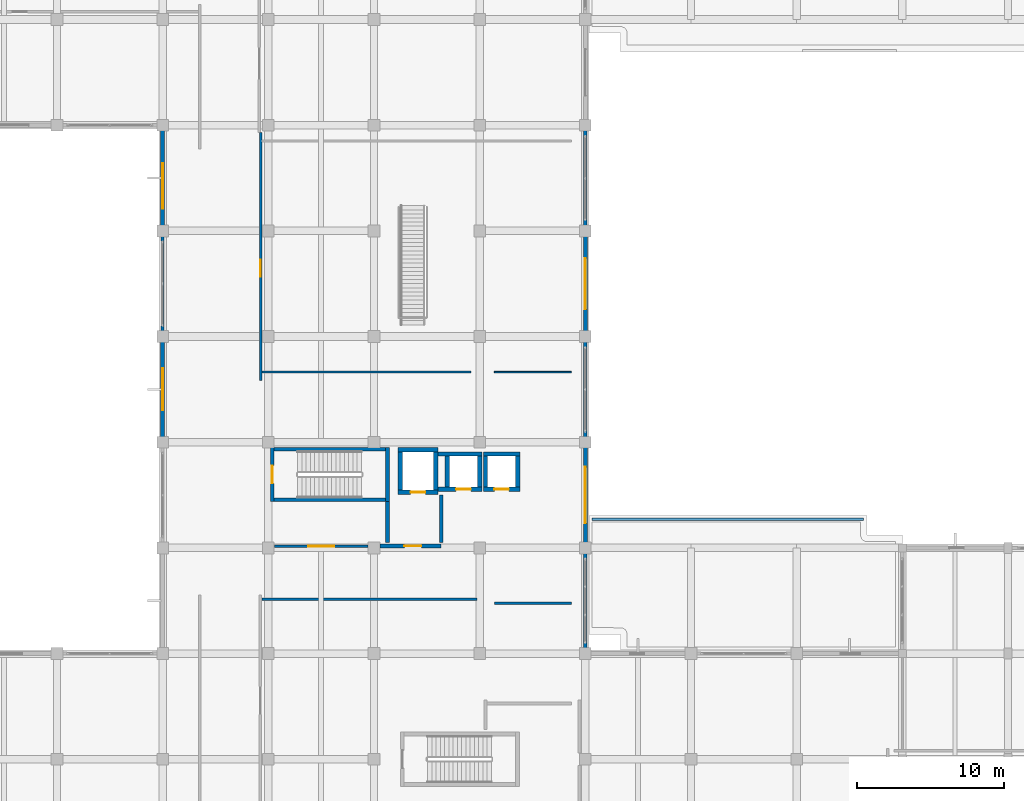
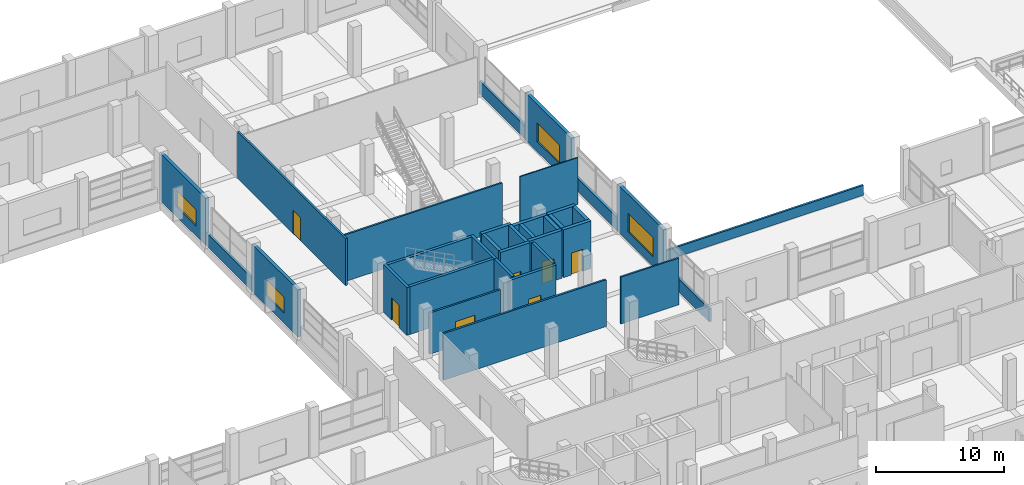
# One storey, part 124 of 140: 34 walls, 7 doors, 4 windows, 11 openings.
"""IFC4 building model written with IfcOpenShell, lengths in metres."""

from ifc_helpers import new_model, si_unit, direction, frame, frame_2d, origin, place, context, subcontext, project, spatial, rectangle, extrude, material, layer, layer_set, type_object, element, fill, save


model = new_model("IFC4")

# Units and contexts
model_context = context("Model", 3, precision=1e-05, world=origin(), true_north=direction((0.0, 1.0)))
body_context = subcontext(model_context, "Body", "Model", "MODEL_VIEW")
ifc_project = project(units=[si_unit("LENGTHUNIT", "METRE"), si_unit("AREAUNIT", "SQUARE_METRE"), si_unit("VOLUMEUNIT", "CUBIC_METRE"), si_unit("PLANEANGLEUNIT", "RADIAN"), si_unit("MASSUNIT", "GRAM", prefix="KILO")], contexts=[model_context])

# Site, building, storey
site_placement = place(None, origin())
site = spatial("IfcSite", under=ifc_project, at=site_placement, CompositionType="ELEMENT")
building_placement = place(site_placement, origin())
building = spatial("IfcBuilding", under=site, at=building_placement, Name="Seraya Terrace Polytechnic", CompositionType="ELEMENT")
storey_placement = place(building_placement, frame((0.0, 0.0, 9.60009765625)))
storey = spatial("IfcBuildingStorey", under=building, at=storey_placement, Name="L02", CompositionType="ELEMENT", Elevation=9.60009765625)

# Wall, opening, window
ifc_material_1 = material(Name="Precast concrete C40/50", Category="concrete")
ifc_layer_1 = layer(ifc_material_1, 0.280029296875, Name="EW-02")
ifc_layer_set_1 = layer_set([ifc_layer_1], Name="Precast concrete C40/50")
wall_type_1 = type_object("IfcWallType", Name="EW-02", PredefinedType="SOLIDWALL", material=ifc_layer_set_1)
wall_1_placement = place(storey_placement, frame((108.0, 57.60009765625, 0.0), z_axis=(0.0, 0.0, 1.0), x_axis=(0.0, -1.0, 0.0)))
wall_1 = element("IfcWall", 1, at=wall_1_placement, inside=storey, type_object=wall_type_1, Name="Exterior structural wall EW-02 L02", PredefinedType="SOLIDWALL", context=body_context, shape_type="SweptSolid", body=[
    extrude(rectangle(XDim=7.2001953125, YDim=0.280029296875, at=frame_2d((3.60009765625, 0.0))), origin(), (0.0, 0.0, 1.0), 4.52001953125),
])
opening_1_placement = place(wall_1_placement, frame((1.85009765625, 0.0, 0.949951171875)))
opening_1 = element("IfcOpeningElement", 2, at=opening_1_placement, cuts=wall_1, Name="Opening WN-35", PredefinedType="OPENING", context=body_context, shape_type="SweptSolid", body=[
    extrude(rectangle(XDim=3.5, YDim=1.800048828125, at=frame_2d((1.75, 0.89990234375))), frame((0.0, 0.15185546875, 0.0), z_axis=(0.0, -1.0, 0.0), x_axis=(1.0, 0.0, 0.0)), (0.0, 0.0, 1.0), 0.303955078125),
])
ifc_material_2 = material(Name="Laminated solar-control Low-E double glazing", Category="glass")
window_type_1 = type_object("IfcWindowType", Name="WN-35", PartitioningType="SINGLE_PANEL", PredefinedType="WINDOW", material=ifc_material_2)
window_1_placement = place(opening_1_placement, origin())
window_1 = element("IfcWindow", 3, at=window_1_placement, inside=storey, type_object=window_type_1, Name="Exterior window WN-35 L02", OverallHeight=1.800048828125, OverallWidth=3.5, PartitioningType="SINGLE_PANEL", PredefinedType="WINDOW", context=body_context, shape_type="SweptSolid", body=[
    extrude(rectangle(XDim=3.5, YDim=1.800048828125, at=frame_2d((1.75, 0.89990234375))), frame((0.0, 0.030029296875, 0.0), z_axis=(0.0, -1.0, 0.0), x_axis=(1.0, 0.0, 0.0)), (0.0, 0.0, 1.0), 0.06005859375),
])
fill(opening_1, window_1)

wall_2_placement = place(storey_placement, frame((108.0, 43.199951171875, 0.0), z_axis=(0.0, 0.0, 1.0), x_axis=(0.0, -1.0, 0.0)))
wall_2 = element("IfcWall", 4, at=wall_2_placement, inside=storey, type_object=wall_type_1, Name="Exterior structural wall EW-02 L02", PredefinedType="SOLIDWALL", context=body_context, shape_type="SweptSolid", body=[
    extrude(rectangle(XDim=7.199951171875, YDim=0.280029296875, at=frame_2d((3.60009765625, 0.0))), origin(), (0.0, 0.0, 1.0), 4.52001953125),
])
opening_2_placement = place(wall_2_placement, frame((1.675048828125, 0.0, 0.949951171875)))
opening_2 = element("IfcOpeningElement", 5, at=opening_2_placement, cuts=wall_2, Name="Opening WN-36", PredefinedType="OPENING", context=body_context, shape_type="SweptSolid", body=[
    extrude(rectangle(XDim=3.85009765625, YDim=1.800048828125, at=frame_2d((1.925048828125, 0.89990234375))), frame((0.0, 0.15185546875, 0.0), z_axis=(0.0, -1.0, 0.0), x_axis=(1.0, 0.0, 0.0)), (0.0, 0.0, 1.0), 0.303955078125),
])
window_type_2 = type_object("IfcWindowType", Name="WN-36", PartitioningType="SINGLE_PANEL", PredefinedType="WINDOW", material=ifc_material_2)
window_2_placement = place(opening_2_placement, origin())
window_2 = element("IfcWindow", 6, at=window_2_placement, inside=storey, type_object=window_type_2, Name="Exterior window WN-36 L02", OverallHeight=1.800048828125, OverallWidth=3.85009765625, PartitioningType="SINGLE_PANEL", PredefinedType="WINDOW", context=body_context, shape_type="SweptSolid", body=[
    extrude(rectangle(XDim=3.85009765625, YDim=1.800048828125, at=frame_2d((1.925048828125, 0.89990234375))), frame((0.0, 0.030029296875, 0.0), z_axis=(0.0, -1.0, 0.0), x_axis=(1.0, 0.0, 0.0)), (0.0, 0.0, 1.0), 0.06005859375),
])
fill(opening_2, window_2)

wall_3_placement = place(storey_placement, frame((79.199951171875, 43.199951171875, 0.0), z_axis=(0.0, 0.0, 1.0), x_axis=(0.0, 1.0, 0.0)))
wall_3 = element("IfcWall", 7, at=wall_3_placement, inside=storey, type_object=wall_type_1, Name="Exterior structural wall EW-02 L02", PredefinedType="SOLIDWALL", context=body_context, shape_type="SweptSolid", body=[
    extrude(rectangle(XDim=7.199951171875, YDim=0.280029296875, at=frame_2d((3.60009765625, 0.0))), origin(), (0.0, 0.0, 1.0), 4.52001953125),
])
opening_3_placement = place(wall_3_placement, frame((2.175048828125, 0.0, 0.949951171875)))
opening_3 = element("IfcOpeningElement", 8, at=opening_3_placement, cuts=wall_3, Name="Opening WN-23", PredefinedType="OPENING", context=body_context, shape_type="SweptSolid", body=[
    extrude(rectangle(XDim=2.85009765625, YDim=1.550048828125, at=frame_2d((1.425048828125, 0.77490234375))), frame((0.0, 0.15185546875, 0.0), z_axis=(0.0, -1.0, 0.0), x_axis=(1.0, 0.0, 0.0)), (0.0, 0.0, 1.0), 0.303955078125),
])
window_type_3 = type_object("IfcWindowType", Name="WN-23", PartitioningType="SINGLE_PANEL", PredefinedType="WINDOW", material=ifc_material_2)
window_3_placement = place(opening_3_placement, origin())
window_3 = element("IfcWindow", 9, at=window_3_placement, inside=storey, type_object=window_type_3, Name="Exterior window WN-23 L02", OverallHeight=1.550048828125, OverallWidth=2.85009765625, PartitioningType="SINGLE_PANEL", PredefinedType="WINDOW", context=body_context, shape_type="SweptSolid", body=[
    extrude(rectangle(XDim=2.85009765625, YDim=1.550048828125, at=frame_2d((1.425048828125, 0.77490234375))), frame((0.0, 0.030029296875, 0.0), z_axis=(0.0, -1.0, 0.0), x_axis=(1.0, 0.0, 0.0)), (0.0, 0.0, 1.0), 0.06005859375),
])
fill(opening_3, window_3)

wall_4_placement = place(storey_placement, frame((79.199951171875, 57.60009765625, 0.0), z_axis=(0.0, 0.0, 1.0), x_axis=(0.0, 1.0, 0.0)))
wall_4 = element("IfcWall", 10, at=wall_4_placement, inside=storey, type_object=wall_type_1, Name="Exterior structural wall EW-02 L02", PredefinedType="SOLIDWALL", context=body_context, shape_type="SweptSolid", body=[
    extrude(rectangle(XDim=7.0478515625, YDim=0.280029296875, at=frame_2d((3.52392578125, 0.0))), origin(), (0.0, 0.0, 1.0), 4.52001953125),
])
opening_4_placement = place(wall_4_placement, frame((1.52392578125, 0.0, 0.949951171875)))
opening_4 = element("IfcOpeningElement", 11, at=opening_4_placement, cuts=wall_4, Name="Opening WN-24", PredefinedType="OPENING", context=body_context, shape_type="SweptSolid", body=[
    extrude(rectangle(XDim=3.10009765625, YDim=1.550048828125, at=frame_2d((1.550048828125, 0.77490234375))), frame((0.0, 0.15185546875, 0.0), z_axis=(0.0, -1.0, 0.0), x_axis=(1.0, 0.0, 0.0)), (0.0, 0.0, 1.0), 0.303955078125),
])
window_type_4 = type_object("IfcWindowType", Name="WN-24", PartitioningType="SINGLE_PANEL", PredefinedType="WINDOW", material=ifc_material_2)
window_4_placement = place(opening_4_placement, origin())
window_4 = element("IfcWindow", 12, at=window_4_placement, inside=storey, type_object=window_type_4, Name="Exterior window WN-24 L02", OverallHeight=1.550048828125, OverallWidth=3.10009765625, PartitioningType="SINGLE_PANEL", PredefinedType="WINDOW", context=body_context, shape_type="SweptSolid", body=[
    extrude(rectangle(XDim=3.10009765625, YDim=1.550048828125, at=frame_2d((1.550048828125, 0.77490234375))), frame((0.0, 0.030029296875, 0.0), z_axis=(0.0, -1.0, 0.0), x_axis=(1.0, 0.0, 0.0)), (0.0, 0.0, 1.0), 0.06005859375),
])
fill(opening_4, window_4)

# Walls
ifc_layer_2 = layer(ifc_material_1, 0.219970703125, Name="EW-05")
ifc_layer_set_2 = layer_set([ifc_layer_2], Name="Precast concrete C40/50")
wall_type_2 = type_object("IfcWallType", Name="EW-05", PredefinedType="SOLIDWALL", material=ifc_layer_set_2)
for number, where, z_axis, x_axis, name in (
    (13, (108.0, 64.800048828125, 0.0), (0.0, 0.0, 1.0), (0.0, -1.0, 0.0), "Precast spandrel wall L02"),
    (14, (108.0, 50.39990234375, 0.0), (0.0, 0.0, 1.0), (0.0, -1.0, 0.0), "Precast spandrel wall L02"),
):
    element("IfcWall", number, at=place(storey_placement, frame(where, z_axis=z_axis, x_axis=x_axis)), inside=storey, type_object=wall_type_2, Name=name, PredefinedType="SOLIDWALL", context=body_context, shape_type="SweptSolid", body=[
        extrude(rectangle(XDim=7.199951171875, YDim=0.219970703125, at=frame_2d((3.60009765625, 0.0))), origin(), (0.0, 0.0, 1.0), 1.239990234375),
    ])
wall_5_placement = place(storey_placement, frame((108.0, 36.0, 0.0), z_axis=(0.0, 0.0, 1.0), x_axis=(0.0, -1.0, 0.0)))
element("IfcWall", 15, at=wall_5_placement, inside=storey, type_object=wall_type_2, Name="Precast spandrel wall L02", PredefinedType="SOLIDWALL", context=body_context, shape_type="SweptSolid", body=[
    extrude(rectangle(XDim=7.048095703125, YDim=0.219970703125, at=frame_2d((3.52392578125, 0.0))), origin(), (0.0, 0.0, 1.0), 1.239990234375),
])
wall_6_placement = place(storey_placement, frame((79.199951171875, 50.39990234375, 0.0), z_axis=(0.0, 0.0, 1.0), x_axis=(0.0, 1.0, 0.0)))
element("IfcWall", 16, at=wall_6_placement, inside=storey, type_object=wall_type_2, Name="Precast spandrel wall L02", PredefinedType="SOLIDWALL", context=body_context, shape_type="SweptSolid", body=[
    extrude(rectangle(XDim=7.2001953125, YDim=0.219970703125, at=frame_2d((3.60009765625, 0.0))), origin(), (0.0, 0.0, 1.0), 1.239990234375),
])

# Wall, opening, door
ifc_material_3 = material(Name="Autoclaved aerated concrete blockwork", Category="masonry")
ifc_layer_3 = layer(ifc_material_3, 0.169921875, Name="PT-02")
ifc_layer_set_3 = layer_set([ifc_layer_3], Name="Autoclaved aerated concrete blockwork")
wall_type_3 = type_object("IfcWallType", Name="PT-02", PredefinedType="PARTITIONING", material=ifc_layer_set_3)
wall_7_placement = place(storey_placement, frame((85.8701171875, 47.416015625, 0.0), z_axis=(0.0, 0.0, 1.0), x_axis=(0.0, 1.0, 0.0)))
wall_7 = element("IfcWall", 17, at=wall_7_placement, inside=storey, type_object=wall_type_3, Name="Internal partition PT-02 L02", PredefinedType="PARTITIONING", context=body_context, shape_type="SweptSolid", body=[
    extrude(rectangle(XDim=16.8720703125, YDim=0.169921875, at=frame_2d((8.43603515625, 0.0))), origin(), (0.0, 0.0, 1.0), 4.4599609375),
])
opening_5_placement = place(wall_7_placement, frame((7.06591796875, 0.0, 0.0)))
opening_5 = element("IfcOpeningElement", 18, at=opening_5_placement, cuts=wall_7, Name="Opening ID-06", PredefinedType="OPENING", context=body_context, shape_type="SweptSolid", body=[
    extrude(rectangle(XDim=1.139892578125, YDim=2.199951171875, at=frame_2d((0.56982421875, 1.10009765625))), frame((0.0, 0.096923828125, 0.0), z_axis=(0.0, -1.0, 0.0), x_axis=(1.0, 0.0, 0.0)), (0.0, 0.0, 1.0), 0.19384765625),
])
ifc_material_4 = material(Name="Malaysian dark red meranti hardwood timber D40", Category="wood")
door_type_1 = type_object("IfcDoorType", Name="ID-06", OperationType="NOTDEFINED", PredefinedType="DOOR", material=ifc_material_4)
door_1_placement = place(opening_5_placement, frame((1.139892578125, 0.0, 0.0), z_axis=(0.0, 0.0, 1.0), x_axis=(-1.0, 0.0, 0.0)))
door_1 = element("IfcDoor", 19, at=door_1_placement, inside=storey, type_object=door_type_1, Name="Door ID-06 DR-INT-L02-0163 in WL-INT-L02-0456", OperationType="SINGLE_SWING_RIGHT", OverallHeight=2.199951171875, OverallWidth=1.139892578125, PredefinedType="DOOR", context=body_context, shape_type="SweptSolid", body=[
    extrude(rectangle(XDim=1.139892578125, YDim=2.199951171875, at=frame_2d((0.56982421875, 1.10009765625))), frame((0.0, 0.02490234375, 0.0), z_axis=(0.0, -1.0, 0.0), x_axis=(1.0, 0.0, 0.0)), (0.0, 0.0, 1.0), 0.050048828125),
])
fill(opening_5, door_1)

# Wall
wall_8_placement = place(storey_placement, frame((85.963134765625, 32.511962890625, 0.0), z_axis=(0.0, 0.0, 1.0), x_axis=(1.0, 0.0, 0.0)))
element("IfcWall", 20, at=wall_8_placement, inside=storey, type_object=wall_type_3, Name="Internal partition PT-02 L02", PredefinedType="PARTITIONING", context=body_context, shape_type="SweptSolid", body=[
    extrude(rectangle(XDim=14.668212890625, YDim=0.169921875, at=frame_2d((7.333984375, 0.0))), origin(), (0.0, 0.0, 1.0), 4.4599609375),
])

# Wall, opening, door
wall_9_placement = place(storey_placement, frame((86.81005859375, 36.1201171875, 0.0), z_axis=(0.0, 0.0, 1.0), x_axis=(1.0, 0.0, 0.0)))
wall_9 = element("IfcWall", 21, at=wall_9_placement, inside=storey, type_object=wall_type_3, Name="Internal partition PT-02 L02", PredefinedType="PARTITIONING", context=body_context, shape_type="SweptSolid", body=[
    extrude(rectangle(XDim=6.3798828125, YDim=0.169921875, at=frame_2d((3.18994140625, 0.0))), origin(), (0.0, 0.0, 1.0), 3.929931640625),
])
opening_6_placement = place(wall_9_placement, frame((2.31005859375, 0.0, 0.0)))
opening_6 = element("IfcOpeningElement", 22, at=opening_6_placement, cuts=wall_9, Name="Opening ID-14", PredefinedType="OPENING", context=body_context, shape_type="SweptSolid", body=[
    extrude(rectangle(XDim=1.760009765625, YDim=2.300048828125, at=frame_2d((0.8798828125, 1.14990234375))), frame((0.0, 0.096923828125, 0.0), z_axis=(0.0, -1.0, 0.0), x_axis=(1.0, 0.0, 0.0)), (0.0, 0.0, 1.0), 0.19384765625),
])
door_type_2 = type_object("IfcDoorType", Name="ID-14", OperationType="DOUBLE_DOOR_SINGLE_SWING", PredefinedType="DOOR", material=ifc_material_4)
door_2_placement = place(opening_6_placement, frame((1.760009765625, 0.0, 0.0), z_axis=(0.0, 0.0, 1.0), x_axis=(-1.0, 0.0, 0.0)))
door_2 = element("IfcDoor", 23, at=door_2_placement, inside=storey, type_object=door_type_2, Name="Door ID-14 DR-INT-L02-0155 in WL-INT-L02-0460", OperationType="DOUBLE_DOOR_SINGLE_SWING", OverallHeight=2.300048828125, OverallWidth=1.760009765625, PredefinedType="DOOR", context=body_context, shape_type="SweptSolid", body=[
    extrude(rectangle(XDim=1.760009765625, YDim=2.300048828125, at=frame_2d((0.8798828125, 1.14990234375))), frame((0.0, 0.02490234375, 0.0), z_axis=(0.0, -1.0, 0.0), x_axis=(1.0, 0.0, 0.0)), (0.0, 0.0, 1.0), 0.050048828125),
])
fill(opening_6, door_2)

# Walls
ifc_layer_4 = layer(ifc_material_3, 0.14990234375, Name="PT-03")
ifc_layer_set_4 = layer_set([ifc_layer_4], Name="Autoclaved aerated concrete blockwork")
wall_type_4 = type_object("IfcWallType", Name="PT-03", PredefinedType="PARTITIONING", material=ifc_layer_set_4)
wall_10_placement = place(storey_placement, frame((101.800048828125, 32.22412109375, 0.0), z_axis=(0.0, 0.0, 1.0), x_axis=(1.0, 0.0, 0.0)))
element("IfcWall", 24, at=wall_10_placement, inside=storey, type_object=wall_type_4, Name="Internal partition PT-03 L02", PredefinedType="PARTITIONING", context=body_context, shape_type="SweptSolid", body=[
    extrude(rectangle(XDim=5.243896484375, YDim=0.14990234375, at=frame_2d((2.6220703125, 0.0))), origin(), (0.0, 0.0, 1.0), 4.4599609375),
])
wall_11_placement = place(storey_placement, frame((85.969970703125, 47.97607421875, 0.0), z_axis=(0.0, 0.0, 1.0), x_axis=(1.0, 0.0, 0.0)))
element("IfcWall", 25, at=wall_11_placement, inside=storey, type_object=wall_type_4, Name="Internal partition PT-03 L02", PredefinedType="PARTITIONING", context=body_context, shape_type="SweptSolid", body=[
    extrude(rectangle(XDim=14.22998046875, YDim=0.14990234375, at=frame_2d((7.114990234375, 0.0))), origin(), (0.0, 0.0, 1.0), 4.4599609375),
])
ifc_layer_5 = layer(ifc_material_3, 0.10009765625, Name="PT-06")
ifc_layer_set_5 = layer_set([ifc_layer_5], Name="Autoclaved aerated concrete blockwork")
wall_type_5 = type_object("IfcWallType", Name="PT-06", PredefinedType="PARTITIONING", material=ifc_layer_set_5)
wall_12_placement = place(storey_placement, frame((101.800048828125, 47.97607421875, 0.0), z_axis=(0.0, 0.0, 1.0), x_axis=(1.0, 0.0, 0.0)))
element("IfcWall", 26, at=wall_12_placement, inside=storey, type_object=wall_type_5, Name="Internal partition PT-06 L02", PredefinedType="PARTITIONING", context=body_context, shape_type="SweptSolid", body=[
    extrude(rectangle(XDim=5.243896484375, YDim=0.10009765625, at=frame_2d((2.6220703125, 0.0))), origin(), (0.0, 0.0, 1.0), 4.4599609375),
])
ifc_layer_6 = layer(ifc_material_1, 0.179931640625, Name="PW-P2")
ifc_layer_set_6 = layer_set([ifc_layer_6], Name="Precast concrete C40/50")
wall_type_6 = type_object("IfcWallType", Name="PW-P2", PredefinedType="PARAPET", material=ifc_layer_set_6)
wall_13_placement = place(storey_placement, frame((108.449951171875, 37.949951171875, 0.0), z_axis=(0.0, 0.0, 1.0), x_axis=(1.0, 0.0, 0.0)))
element("IfcWall", 27, at=wall_13_placement, inside=storey, type_object=wall_type_6, Name="Roof parapet ROOF-L02-SELINK 7.1", PredefinedType="PARAPET", context=body_context, shape_type="SweptSolid", body=[
    extrude(rectangle(XDim=18.5, YDim=0.179931640625, at=frame_2d((9.25, 0.0))), origin(), (0.0, 0.0, 1.0), 0.949951171875),
])

# Wall, opening, door
ifc_material_5 = material(Name="Concrete C40/50", Category="concrete")
ifc_layer_7 = layer(ifc_material_5, 0.300048828125, Name="SW-01")
ifc_layer_set_7 = layer_set([ifc_layer_7], Name="Concrete C40/50")
wall_type_7 = type_object("IfcWallType", Name="SW-01", PredefinedType="SHEAR", material=ifc_layer_set_7)
wall_14_placement = place(storey_placement, frame((95.25, 39.800048828125, 0.0), z_axis=(0.0, 0.0, 1.0), x_axis=(1.0, 0.0, 0.0)))
wall_14 = element("IfcWall", 28, at=wall_14_placement, inside=storey, type_object=wall_type_7, Name="Lift shaft FL-02 South wall L02", PredefinedType="SHEAR", context=body_context, shape_type="SweptSolid", body=[
    extrude(rectangle(XDim=2.699951171875, YDim=0.300048828125, at=frame_2d((1.35009765625, 0.0))), origin(), (0.0, 0.0, 1.0), 4.5498046875),
])
opening_7_placement = place(wall_14_placement, frame((0.85009765625, 0.0, 0.0)))
opening_7 = element("IfcOpeningElement", 29, at=opening_7_placement, cuts=wall_14, Name="Opening LD-01", PredefinedType="OPENING", context=body_context, shape_type="SweptSolid", body=[
    extrude(rectangle(XDim=1.0, YDim=2.10009765625, at=frame_2d((0.5, 1.050048828125))), frame((0.0, 0.162109375, 0.0), z_axis=(0.0, -1.0, 0.0), x_axis=(1.0, 0.0, 0.0)), (0.0, 0.0, 1.0), 0.323974609375),
])
ifc_material_6 = material(Name="Steel S355J2", Category="steel")
door_type_3 = type_object("IfcDoorType", Name="LD-01", OperationType="SLIDING_TO_LEFT", PredefinedType="DOOR", material=ifc_material_6)
door_3_placement = place(opening_7_placement, frame((1.0, 0.0, 0.0), z_axis=(0.0, 0.0, 1.0), x_axis=(-1.0, 0.0, 0.0)))
door_3 = element("IfcDoor", 30, at=door_3_placement, inside=storey, type_object=door_type_3, Name="Door LD-01 LD-FL-02-L02 in WL-SHF-FL-02-L02-S", OperationType="SLIDING_TO_RIGHT", OverallHeight=2.10009765625, OverallWidth=1.0, PredefinedType="DOOR", context=body_context, shape_type="SweptSolid", body=[
    extrude(rectangle(XDim=1.0, YDim=2.10009765625, at=frame_2d((0.5, 1.050048828125))), frame((0.0, 0.02490234375, 0.0), z_axis=(0.0, -1.0, 0.0), x_axis=(1.0, 0.0, 0.0)), (0.0, 0.0, 1.0), 0.050048828125),
])
fill(opening_7, door_3)

# Walls
wall_15_placement = place(storey_placement, frame((95.25, 42.699951171875, 0.0), z_axis=(0.0, 0.0, 1.0), x_axis=(1.0, 0.0, 0.0)))
element("IfcWall", 31, at=wall_15_placement, inside=storey, type_object=wall_type_7, Name="Lift shaft FL-02 North wall L02", PredefinedType="SHEAR", context=body_context, shape_type="SweptSolid", body=[
    extrude(rectangle(XDim=2.699951171875, YDim=0.300048828125, at=frame_2d((1.35009765625, 0.0))), origin(), (0.0, 0.0, 1.0), 4.5498046875),
])
for number, where, z_axis, x_axis, name in (
    (32, (95.39990234375, 39.949951171875, 0.0), (0.0, 0.0, 1.0), (0.0, 1.0, 0.0), "Lift shaft FL-02 West wall L02"),
    (33, (97.800048828125, 39.949951171875, 0.0), (0.0, 0.0, 1.0), (0.0, 1.0, 0.0), "Lift shaft FL-02 East wall L02"),
):
    element("IfcWall", number, at=place(storey_placement, frame(where, z_axis=z_axis, x_axis=x_axis)), inside=storey, type_object=wall_type_7, Name=name, PredefinedType="SHEAR", context=body_context, shape_type="SweptSolid", body=[
        extrude(rectangle(XDim=2.60009765625, YDim=0.300048828125, at=frame_2d((1.300048828125, 0.0))), origin(), (0.0, 0.0, 1.0), 4.5498046875),
    ])

# Wall, opening, door
wall_16_placement = place(storey_placement, frame((97.949951171875, 40.0, 0.0), z_axis=(0.0, 0.0, 1.0), x_axis=(1.0, 0.0, 0.0)))
wall_16 = element("IfcWall", 34, at=wall_16_placement, inside=storey, type_object=wall_type_7, Name="Lift shaft PL-03 South wall L02", PredefinedType="SHEAR", context=body_context, shape_type="SweptSolid", body=[
    extrude(rectangle(XDim=3.0, YDim=0.300048828125, at=frame_2d((1.5, 0.0))), origin(), (0.0, 0.0, 1.0), 4.5498046875),
])
opening_8_placement = place(wall_16_placement, frame((1.25, 0.0, 0.0)))
opening_8 = element("IfcOpeningElement", 35, at=opening_8_placement, cuts=wall_16, Name="Opening LD-01", PredefinedType="OPENING", context=body_context, shape_type="SweptSolid", body=[
    extrude(rectangle(XDim=1.0, YDim=2.10009765625, at=frame_2d((0.5, 1.050048828125))), frame((0.0, 0.162109375, 0.0), z_axis=(0.0, -1.0, 0.0), x_axis=(1.0, 0.0, 0.0)), (0.0, 0.0, 1.0), 0.323974609375),
])
door_4_placement = place(opening_8_placement, frame((1.0, 0.0, 0.0), z_axis=(0.0, 0.0, 1.0), x_axis=(-1.0, 0.0, 0.0)))
door_4 = element("IfcDoor", 36, at=door_4_placement, inside=storey, type_object=door_type_3, Name="Door LD-01 LD-PL-03-L02 in WL-SHF-PL-03-L02-S", OperationType="SLIDING_TO_LEFT", OverallHeight=2.10009765625, OverallWidth=1.0, PredefinedType="DOOR", context=body_context, shape_type="SweptSolid", body=[
    extrude(rectangle(XDim=1.0, YDim=2.10009765625, at=frame_2d((0.5, 1.050048828125))), frame((0.0, 0.02490234375, 0.0), z_axis=(0.0, -1.0, 0.0), x_axis=(1.0, 0.0, 0.0)), (0.0, 0.0, 1.0), 0.050048828125),
])
fill(opening_8, door_4)

# Walls
wall_17_placement = place(storey_placement, frame((97.949951171875, 42.39990234375, 0.0), z_axis=(0.0, 0.0, 1.0), x_axis=(1.0, 0.0, 0.0)))
element("IfcWall", 37, at=wall_17_placement, inside=storey, type_object=wall_type_7, Name="Lift shaft PL-03 North wall L02", PredefinedType="SHEAR", context=body_context, shape_type="SweptSolid", body=[
    extrude(rectangle(XDim=3.0, YDim=0.300048828125, at=frame_2d((1.5, 0.0))), origin(), (0.0, 0.0, 1.0), 4.5498046875),
])
for number, where, z_axis, x_axis, name in (
    (38, (98.60009765625, 40.14990234375, 0.0), (0.0, 0.0, 1.0), (0.0, 1.0, 0.0), "Lift shaft PL-03 West wall L02"),
    (39, (100.800048828125, 40.14990234375, 0.0), (0.0, 0.0, 1.0), (0.0, 1.0, 0.0), "Lift shaft PL-03 East wall L02"),
):
    element("IfcWall", number, at=place(storey_placement, frame(where, z_axis=z_axis, x_axis=x_axis)), inside=storey, type_object=wall_type_7, Name=name, PredefinedType="SHEAR", context=body_context, shape_type="SweptSolid", body=[
        extrude(rectangle(XDim=2.10009765625, YDim=0.300048828125, at=frame_2d((1.050048828125, 0.0))), origin(), (0.0, 0.0, 1.0), 4.5498046875),
    ])

# Wall, opening, door
wall_18_placement = place(storey_placement, frame((101.050048828125, 40.0, 0.0), z_axis=(0.0, 0.0, 1.0), x_axis=(1.0, 0.0, 0.0)))
wall_18 = element("IfcWall", 40, at=wall_18_placement, inside=storey, type_object=wall_type_7, Name="Lift shaft PL-04 South wall L02", PredefinedType="SHEAR", context=body_context, shape_type="SweptSolid", body=[
    extrude(rectangle(XDim=2.5, YDim=0.300048828125, at=frame_2d((1.25, 0.0))), origin(), (0.0, 0.0, 1.0), 4.5498046875),
])
opening_9_placement = place(wall_18_placement, frame((0.75, 0.0, 0.0)))
opening_9 = element("IfcOpeningElement", 41, at=opening_9_placement, cuts=wall_18, Name="Opening LD-01", PredefinedType="OPENING", context=body_context, shape_type="SweptSolid", body=[
    extrude(rectangle(XDim=1.0, YDim=2.10009765625, at=frame_2d((0.5, 1.050048828125))), frame((0.0, 0.162109375, 0.0), z_axis=(0.0, -1.0, 0.0), x_axis=(1.0, 0.0, 0.0)), (0.0, 0.0, 1.0), 0.323974609375),
])
door_5_placement = place(opening_9_placement, frame((1.0, 0.0, 0.0), z_axis=(0.0, 0.0, 1.0), x_axis=(-1.0, 0.0, 0.0)))
door_5 = element("IfcDoor", 42, at=door_5_placement, inside=storey, type_object=door_type_3, Name="Door LD-01 LD-PL-04-L02 in WL-SHF-PL-04-L02-S", OperationType="SLIDING_TO_RIGHT", OverallHeight=2.10009765625, OverallWidth=1.0, PredefinedType="DOOR", context=body_context, shape_type="SweptSolid", body=[
    extrude(rectangle(XDim=1.0, YDim=2.10009765625, at=frame_2d((0.5, 1.050048828125))), frame((0.0, 0.02490234375, 0.0), z_axis=(0.0, -1.0, 0.0), x_axis=(1.0, 0.0, 0.0)), (0.0, 0.0, 1.0), 0.050048828125),
])
fill(opening_9, door_5)

# Walls
wall_19_placement = place(storey_placement, frame((101.050048828125, 42.39990234375, 0.0), z_axis=(0.0, 0.0, 1.0), x_axis=(1.0, 0.0, 0.0)))
element("IfcWall", 43, at=wall_19_placement, inside=storey, type_object=wall_type_7, Name="Lift shaft PL-04 North wall L02", PredefinedType="SHEAR", context=body_context, shape_type="SweptSolid", body=[
    extrude(rectangle(XDim=2.5, YDim=0.300048828125, at=frame_2d((1.25, 0.0))), origin(), (0.0, 0.0, 1.0), 4.5498046875),
])
for number, where, z_axis, x_axis, name in (
    (44, (101.199951171875, 40.14990234375, 0.0), (0.0, 0.0, 1.0), (0.0, 1.0, 0.0), "Lift shaft PL-04 West wall L02"),
    (45, (103.39990234375, 40.14990234375, 0.0), (0.0, 0.0, 1.0), (0.0, 1.0, 0.0), "Lift shaft PL-04 East wall L02"),
):
    element("IfcWall", number, at=place(storey_placement, frame(where, z_axis=z_axis, x_axis=x_axis)), inside=storey, type_object=wall_type_7, Name=name, PredefinedType="SHEAR", context=body_context, shape_type="SweptSolid", body=[
        extrude(rectangle(XDim=2.10009765625, YDim=0.300048828125, at=frame_2d((1.050048828125, 0.0))), origin(), (0.0, 0.0, 1.0), 4.5498046875),
    ])

# Wall, opening, door
ifc_layer_8 = layer(ifc_material_5, 0.25, Name="SW-02")
ifc_layer_set_8 = layer_set([ifc_layer_8], Name="Concrete C40/50")
wall_type_8 = type_object("IfcWallType", Name="SW-02", PredefinedType="SHEAR", material=ifc_layer_set_8)
wall_20_placement = place(storey_placement, frame((86.675048828125, 39.14990234375, 0.0), z_axis=(0.0, 0.0, 1.0), x_axis=(0.0, 1.0, 0.0)))
wall_20 = element("IfcWall", 46, at=wall_20_placement, inside=storey, type_object=wall_type_8, Name="Stairwell ST-02 West wall L02", PredefinedType="SHEAR", context=body_context, shape_type="SweptSolid", body=[
    extrude(rectangle(XDim=3.7001953125, YDim=0.25, at=frame_2d((1.85009765625, 0.0))), origin(), (0.0, 0.0, 1.0), 4.5498046875),
])
opening_10_placement = place(wall_20_placement, frame((1.25, 0.0, 0.0)))
opening_10 = element("IfcOpeningElement", 47, at=opening_10_placement, cuts=wall_20, Name="Opening FD-01", PredefinedType="OPENING", context=body_context, shape_type="SweptSolid", body=[
    extrude(rectangle(XDim=1.199951171875, YDim=2.14990234375, at=frame_2d((0.60009765625, 1.074951171875))), frame((0.0, 0.136962890625, 0.0), z_axis=(0.0, -1.0, 0.0), x_axis=(1.0, 0.0, 0.0)), (0.0, 0.0, 1.0), 0.27392578125),
])
door_type_4 = type_object("IfcDoorType", Name="FD-01", OperationType="NOTDEFINED", PredefinedType="DOOR", material=ifc_material_6)
door_6_placement = place(opening_10_placement, frame((1.199951171875, 0.0, 0.0), z_axis=(0.0, 0.0, 1.0), x_axis=(-1.0, 0.0, 0.0)))
door_6 = element("IfcDoor", 48, at=door_6_placement, inside=storey, type_object=door_type_4, Name="Door FD-01 DR-STR-ST-02-L02 in WL-STR-ST-02-L02-W", OperationType="SINGLE_SWING_LEFT", OverallHeight=2.14990234375, OverallWidth=1.199951171875, PredefinedType="DOOR", context=body_context, shape_type="SweptSolid", body=[
    extrude(rectangle(XDim=1.199951171875, YDim=2.14990234375, at=frame_2d((0.60009765625, 1.074951171875))), frame((0.0, 0.02490234375, 0.0), z_axis=(0.0, -1.0, 0.0), x_axis=(1.0, 0.0, 0.0)), (0.0, 0.0, 1.0), 0.050048828125),
])
fill(opening_10, door_6)

# Walls
wall_21_placement = place(storey_placement, frame((94.52490234375, 39.14990234375, 0.0), z_axis=(0.0, 0.0, 1.0), x_axis=(0.0, 1.0, 0.0)))
element("IfcWall", 49, at=wall_21_placement, inside=storey, type_object=wall_type_8, Name="Stairwell ST-02 East wall L02", PredefinedType="SHEAR", context=body_context, shape_type="SweptSolid", body=[
    extrude(rectangle(XDim=3.7001953125, YDim=0.25, at=frame_2d((1.85009765625, 0.0))), origin(), (0.0, 0.0, 1.0), 4.5498046875),
])
for number, where, z_axis, x_axis, name in (
    (50, (86.800048828125, 39.27490234375, 0.0), (0.0, 0.0, 1.0), (1.0, 0.0, 0.0), "Stairwell ST-02 South wall L02"),
    (51, (86.800048828125, 42.72509765625, 0.0), (0.0, 0.0, 1.0), (1.0, 0.0, 0.0), "Stairwell ST-02 North wall L02"),
):
    element("IfcWall", number, at=place(storey_placement, frame(where, z_axis=z_axis, x_axis=x_axis)), inside=storey, type_object=wall_type_8, Name=name, PredefinedType="SHEAR", context=body_context, shape_type="SweptSolid", body=[
        extrude(rectangle(XDim=7.599853515625, YDim=0.25, at=frame_2d((3.7998046875, 0.0))), origin(), (0.0, 0.0, 1.0), 4.5498046875),
    ])

# Wall, opening, door
wall_22_placement = place(storey_placement, frame((94.0, 36.125, 0.0), z_axis=(0.0, 0.0, 1.0), x_axis=(1.0, 0.0, 0.0)))
wall_22 = element("IfcWall", 52, at=wall_22_placement, inside=storey, type_object=wall_type_8, Name="Firefighting lobby B South wall L02", PredefinedType="SHEAR", context=body_context, shape_type="SweptSolid", body=[
    extrude(rectangle(XDim=4.175048828125, YDim=0.25, at=frame_2d((2.08740234375, 0.0))), origin(), (0.0, 0.0, 1.0), 4.5498046875),
])
opening_11_placement = place(wall_22_placement, frame((1.675048828125, 0.0, 0.0)))
opening_11 = element("IfcOpeningElement", 53, at=opening_11_placement, cuts=wall_22, Name="Opening FD-02", PredefinedType="OPENING", context=body_context, shape_type="SweptSolid", body=[
    extrude(rectangle(XDim=1.14990234375, YDim=2.14990234375, at=frame_2d((0.574951171875, 1.074951171875))), frame((0.0, 0.136962890625, 0.0), z_axis=(0.0, -1.0, 0.0), x_axis=(1.0, 0.0, 0.0)), (0.0, 0.0, 1.0), 0.27392578125),
])
door_type_5 = type_object("IfcDoorType", Name="FD-02", OperationType="NOTDEFINED", PredefinedType="DOOR", material=ifc_material_6)
door_7_placement = place(opening_11_placement, frame((1.14990234375, 0.0, 0.0), z_axis=(0.0, 0.0, 1.0), x_axis=(-1.0, 0.0, 0.0)))
door_7 = element("IfcDoor", 54, at=door_7_placement, inside=storey, type_object=door_type_5, Name="Door FD-02 DR-FFL-CORE-B-L02 in WL-FFL-CORE-B-L02-S", OperationType="SINGLE_SWING_RIGHT", OverallHeight=2.14990234375, OverallWidth=1.14990234375, PredefinedType="DOOR", context=body_context, shape_type="SweptSolid", body=[
    extrude(rectangle(XDim=1.14990234375, YDim=2.14990234375, at=frame_2d((0.574951171875, 1.074951171875))), frame((0.0, 0.02490234375, 0.0), z_axis=(0.0, -1.0, 0.0), x_axis=(1.0, 0.0, 0.0)), (0.0, 0.0, 1.0), 0.050048828125),
])
fill(opening_11, door_7)

# Walls
wall_23_placement = place(storey_placement, frame((94.52490234375, 36.375, 0.0), z_axis=(0.0, 0.0, 1.0), x_axis=(0.0, 1.0, 0.0)))
element("IfcWall", 55, at=wall_23_placement, inside=storey, type_object=wall_type_8, Name="Firefighting lobby B West wall L02", PredefinedType="SHEAR", context=body_context, shape_type="SweptSolid", body=[
    extrude(rectangle(XDim=2.77001953125, YDim=0.25, at=frame_2d((1.385009765625, 0.0))), origin(), (0.0, 0.0, 1.0), 4.5498046875),
])
wall_24_placement = place(storey_placement, frame((98.175048828125, 36.375, 0.0), z_axis=(0.0, 0.0, 1.0), x_axis=(0.0, 1.0, 0.0)))
element("IfcWall", 56, at=wall_24_placement, inside=storey, type_object=wall_type_8, Name="Firefighting lobby B East wall L02", PredefinedType="SHEAR", context=body_context, shape_type="SweptSolid", body=[
    extrude(rectangle(XDim=3.22509765625, YDim=0.25, at=frame_2d((1.612548828125, 0.0))), origin(), (0.0, 0.0, 1.0), 4.5498046875),
])

save(model, "model.ifc")
